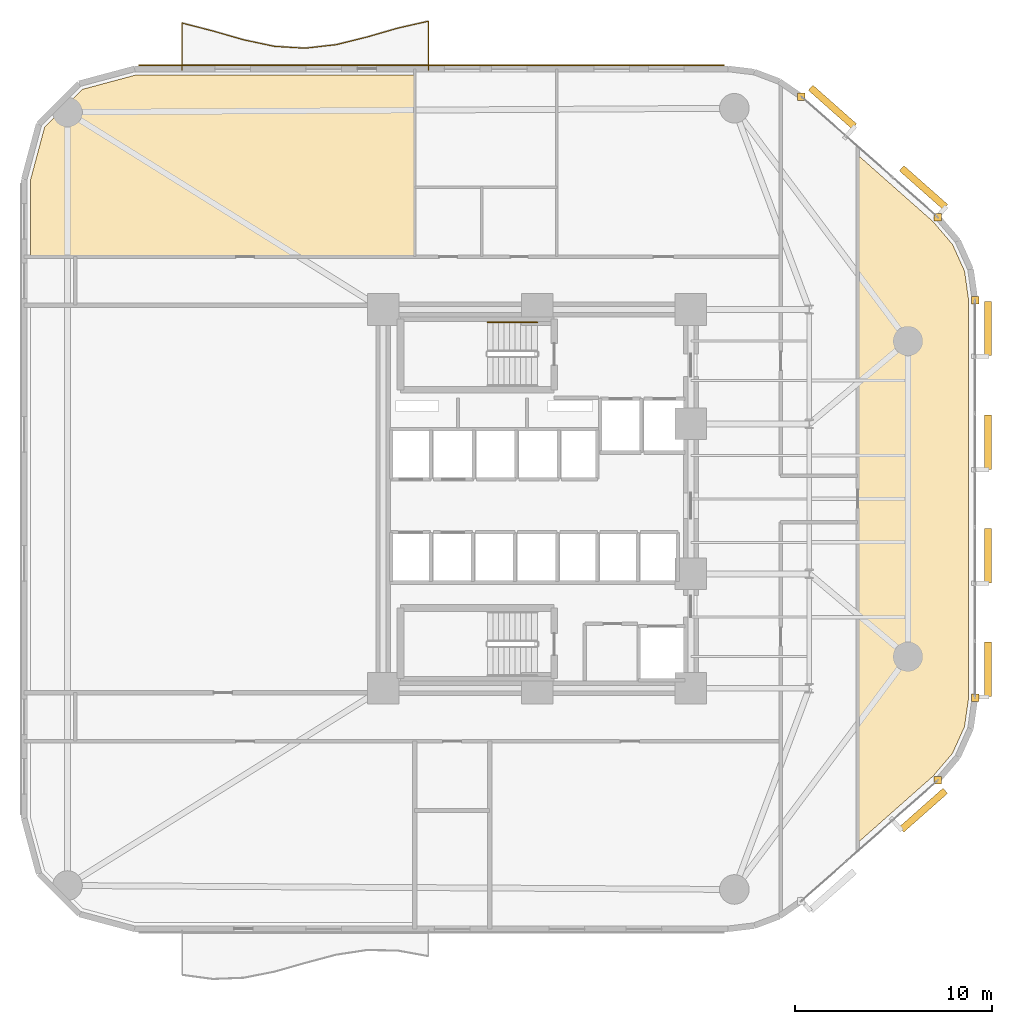
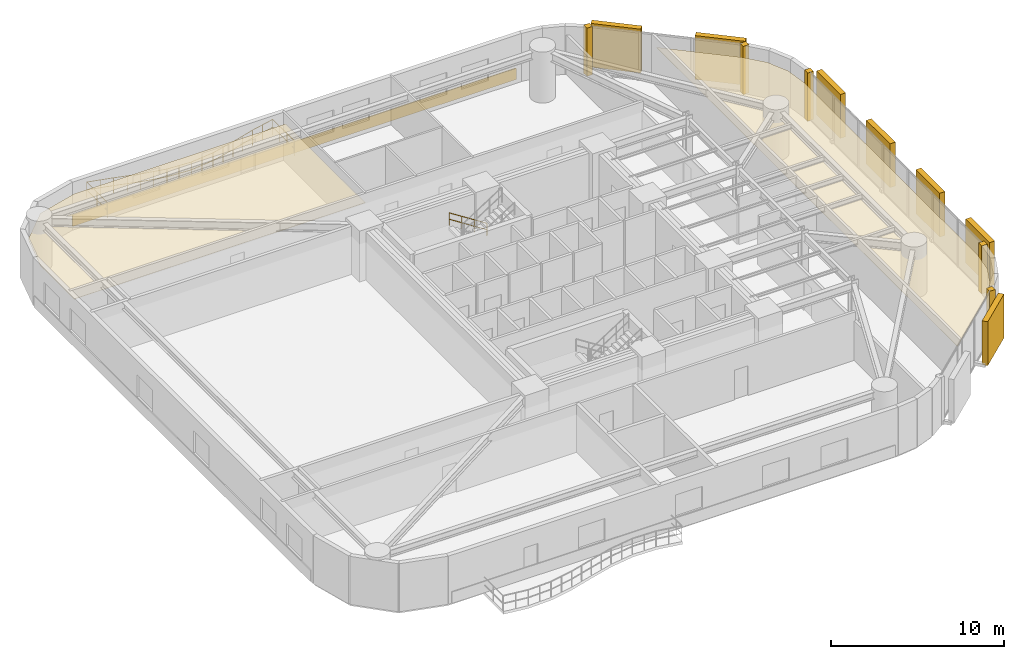
# One storey, part 15 of 15: 8 coverings, 7 shading devices, 2 railings.
"""IFC4 building model written with IfcOpenShell, lengths in metres."""

from ifc_helpers import new_model, si_unit, direction, frame, origin, origin_2d, place, context, subcontext, project, spatial, polyline, rectangle, circle, outline, extrude, material, layer, layer_set, type_object, element, save


model = new_model("IFC4")

# Units and contexts
model_context = context("Model", 3, precision=1e-05, world=origin(), true_north=direction((0.0, 1.0)))
body_context = subcontext(model_context, "Body", "Model", "MODEL_VIEW")
ifc_project = project(units=[si_unit("LENGTHUNIT", "METRE"), si_unit("AREAUNIT", "SQUARE_METRE"), si_unit("VOLUMEUNIT", "CUBIC_METRE"), si_unit("PLANEANGLEUNIT", "RADIAN"), si_unit("MASSUNIT", "GRAM", prefix="KILO")], contexts=[model_context])

# Site, building, storey
site_placement = place(None, origin())
site = spatial("IfcSite", under=ifc_project, at=site_placement, CompositionType="ELEMENT")
building_placement = place(site_placement, origin())
building = spatial("IfcBuilding", under=site, at=building_placement, Name="An Khanh Terracotta Commons", CompositionType="ELEMENT")
storey_placement = place(building_placement, frame((0.0, 0.0, 64.800048828125)))
storey = spatial("IfcBuildingStorey", under=building, at=storey_placement, Name="L17", CompositionType="ELEMENT", Elevation=64.800048828125)

# Coverings
ifc_material_1 = material(Name="Perforated Mineral-Fibre Acoustic Tile")
ifc_layer_1 = layer(ifc_material_1, 0.02001953125, Name="Perforated Mineral-Fibre Acoustic Tile")
ifc_layer_set_1 = layer_set([ifc_layer_1], Name="Perforated Mineral-Fibre Acoustic Tile")
covering_type_1 = type_object("IfcCoveringType", Name="CEIL-ACOUSTIC-18", PredefinedType="CEILING", material=ifc_layer_set_1)
covering_1_placement = place(storey_placement, frame((0.0, 0.0, 2.64990234375)))
element("IfcCovering", 1, at=covering_1_placement, inside=storey, type_object=covering_type_1, Name="L17 Riverfront Reference Library Ceiling", PredefinedType="CEILING", context=body_context, shape_type="SweptSolid", body=[
    extrude(outline(polyline([(49.48095703125, 38.047119140625), (50.458984375, 36.89892578125), (51.069091796875, 35.547119140625), (51.280029296875, 34.053955078125), (51.280029296875, 13.946044921875), (51.069091796875, 12.452880859375), (50.458984375, 11.10107421875), (49.48095703125, 9.952880859375), (45.64990234375, 6.56396484375), (45.64990234375, 22.820068359375), (45.64990234375, 25.179931640625), (45.64990234375, 41.43603515625), (49.48095703125, 38.047119140625)])), origin(), (0.0, 0.0, 1.0), 0.02001953125),
])
covering_2_placement = place(storey_placement, frame((0.0, 0.0, 2.64990234375)))
element("IfcCovering", 2, at=covering_2_placement, inside=storey, type_object=covering_type_1, Name="L17 Student Reading Library Ceiling", PredefinedType="CEILING", context=body_context, shape_type="SweptSolid", body=[
    extrude(outline(polyline([(9.0419921875, 45.47998046875), (23.199951171875, 45.47998046875), (23.199951171875, 39.800048828125), (23.199951171875, 36.280029296875), (6.0, 36.280029296875), (3.719970703125, 36.280029296875), (3.719970703125, 40.157958984375), (4.43701171875, 42.833984375), (6.365966796875, 44.762939453125), (9.0419921875, 45.47998046875)])), origin(), (0.0, 0.0, 1.0), 0.02001953125),
])
ifc_material_2 = material(Name="Fired Terracotta Rainscreen Cladding", Category="masonry")
ifc_layer_2 = layer(ifc_material_2, 0.080078125, Name="Fired Terracotta Rainscreen Cladding")
ifc_layer_set_2 = layer_set([ifc_layer_2], Name="Fired Terracotta Rainscreen Cladding")
covering_type_2 = type_object("IfcCoveringType", Name="COV-JAMB-TERRA", PredefinedType="CLADDING", material=ifc_layer_set_2)
for number, where, z_axis, x_axis, name in (
    (3, (49.7099609375, 9.72802734375, 0.0), (0.0, 0.0, 1.0), (1.0, 0.0, 0.0), "L17 CW-02 Curtain-Wall Jamb Closure JB"),
    (4, (51.60009765625, 13.923095703125, 0.0), (0.0, 0.0, 1.0), (1.0, 0.0, 0.0), "L17 CW-02 Curtain-Wall Jamb Closure JA"),
    (5, (51.60009765625, 34.076904296875, 0.0), (0.0, 0.0, 1.0), (1.0, 0.0, 0.0), "L17 CW-02 Curtain-Wall Jamb Closure JB"),
    (6, (49.7099609375, 38.27197265625, 0.0), (0.0, 0.0, 1.0), (1.0, 0.0, 0.0), "L17 CW-02 Curtain-Wall Jamb Closure JA"),
    (7, (42.7890625, 44.39404296875, 0.0), (0.0, 0.0, 1.0), (1.0, 0.0, 0.0), "L17 CW-02 Curtain-Wall Jamb Closure JB"),
):
    element("IfcCovering", number, at=place(storey_placement, frame(where, z_axis=z_axis, x_axis=x_axis)), inside=storey, type_object=covering_type_2, Name=name, PredefinedType="CLADDING", context=body_context, shape_type="SweptSolid", body=[
        extrude(rectangle(XDim=0.3798828125, YDim=0.3798828125, at=origin_2d()), origin(), (0.0, 0.0, 1.0), 3.39990234375),
    ])
ifc_layer_3 = layer(ifc_material_2, 0.06005859375, Name="Fired Terracotta Rainscreen Cladding")
ifc_layer_set_3 = layer_set([ifc_layer_3], Name="Fired Terracotta Rainscreen Cladding")
covering_type_3 = type_object("IfcCoveringType", Name="COV-SPANDREL-TERRA", PredefinedType="CLADDING", material=ifc_layer_set_3)
covering_3_placement = place(storey_placement, frame((24.0400390625, 45.97998046875, 0.02001953125), z_axis=(0.0, 0.0, 1.0), x_axis=(-1.0, 0.0, 0.0)))
element("IfcCovering", 8, at=covering_3_placement, inside=storey, type_object=covering_type_3, Name="L17 Terracotta Spandrel Cladding 20", PredefinedType="CLADDING", context=body_context, shape_type="SweptSolid", body=[
    extrude(rectangle(XDim=29.678955078125, YDim=0.06005859375, at=origin_2d()), origin(), (0.0, 0.0, 1.0), 0.800048828125),
])

# Railings
ifc_material_3 = material(Name="Brushed Stainless Steel 316", Category="steel")
railing_type_1 = type_object("IfcRailingType", Name="RAIL-BALUSTRADE-1100", PredefinedType="BALUSTRADE", material=ifc_material_3)
railing_1_placement = place(storey_placement, frame((23.89990234375, 45.739990234375, 0.0)))
element("IfcRailing", 9, at=railing_1_placement, inside=storey, type_object=railing_type_1, Name="L17 N Wave Balcony Guard Balustrade", PredefinedType="BALUSTRADE", context=body_context, shape_type="SweptSolid", body=[
    extrude(circle(Radius=0.02392578125, at=origin_2d()), frame((0.0, 0.0, 1.076171875), z_axis=(0.0, 1.0, 0.0), x_axis=(-1.0, 0.0, 0.0)), (0.0, 0.0, 1.0), 2.47412109375),
    extrude(circle(Radius=0.02392578125, at=origin_2d()), frame((0.0, 0.0, 0.52587890625), z_axis=(0.0, 1.0, 0.0), x_axis=(-1.0, 0.0, 0.0)), (0.0, 0.0, 1.0), 2.47412109375),
    extrude(circle(Radius=0.02392578125, at=origin_2d()), frame((0.0, 2.47412109375, 1.076171875), z_axis=(-0.975297200587, -0.220896741776, 0.0), x_axis=(0.220896741776, -0.975297200587, 0.0)), (0.0, 0.0, 1.0), 1.6025390625),
    extrude(circle(Radius=0.02392578125, at=origin_2d()), frame((0.0, 2.47412109375, 0.52587890625), z_axis=(-0.975297200587, -0.220896741776, 0.0), x_axis=(0.220896741776, -0.975297200587, 0.0)), (0.0, 0.0, 1.0), 1.6025390625),
    extrude(circle(Radius=0.02392578125, at=origin_2d()), frame((-1.56298828125, 2.1201171875, 1.076171875), z_axis=(-0.960566374917, -0.278050785612, 0.0), x_axis=(0.278050785612, -0.960566374917, 0.0)), (0.0, 0.0, 1.0), 1.626220703125),
    extrude(circle(Radius=0.02392578125, at=origin_2d()), frame((-1.56298828125, 2.1201171875, 0.52587890625), z_axis=(-0.960566374917, -0.278050785612, 0.0), x_axis=(0.278050785612, -0.960566374917, 0.0)), (0.0, 0.0, 1.0), 1.626220703125),
    extrude(circle(Radius=0.02392578125, at=origin_2d()), frame((-3.125, 1.66796875, 1.076171875), z_axis=(-0.9708342931, -0.239751486628, 0.0), x_axis=(0.239751486628, -0.9708342931, 0.0)), (0.0, 0.0, 1.0), 1.60986328125),
    extrude(circle(Radius=0.02392578125, at=origin_2d()), frame((-3.125, 1.66796875, 0.52587890625), z_axis=(-0.9708342931, -0.239751486628, 0.0), x_axis=(0.239751486628, -0.9708342931, 0.0)), (0.0, 0.0, 1.0), 1.60986328125),
    extrude(circle(Radius=0.02392578125, at=origin_2d()), frame((-4.68798828125, 1.281982421875, 1.076171875), z_axis=(-0.993571157369, -0.113209342564, 0.0), x_axis=(0.113209342564, -0.993571157369, 0.0)), (0.0, 0.0, 1.0), 1.572021484375),
    extrude(circle(Radius=0.02392578125, at=origin_2d()), frame((-4.68798828125, 1.281982421875, 0.52587890625), z_axis=(-0.993571157369, -0.113209342564, 0.0), x_axis=(0.113209342564, -0.993571157369, 0.0)), (0.0, 0.0, 1.0), 1.572021484375),
    extrude(circle(Radius=0.02392578125, at=origin_2d()), frame((-6.25, 1.10400390625, 1.076171875), z_axis=(-0.99823381228, 0.059407541781, 0.0), x_axis=(-0.059407541781, -0.99823381228, 0.0)), (0.0, 0.0, 1.0), 1.565673828125),
    extrude(circle(Radius=0.02392578125, at=origin_2d()), frame((-6.25, 1.10400390625, 0.52587890625), z_axis=(-0.99823381228, 0.059407541781, 0.0), x_axis=(-0.059407541781, -0.99823381228, 0.0)), (0.0, 0.0, 1.0), 1.565673828125),
    extrude(circle(Radius=0.02392578125, at=origin_2d()), frame((-7.81298828125, 1.197021484375, 1.076171875), z_axis=(-0.978145638239, 0.207920923414, 0.0), x_axis=(-0.207920923414, -0.978145638239, 0.0)), (0.0, 0.0, 1.0), 1.596923828125),
    extrude(circle(Radius=0.02392578125, at=origin_2d()), frame((-7.81298828125, 1.197021484375, 0.52587890625), z_axis=(-0.978145638239, 0.207920923414, 0.0), x_axis=(-0.207920923414, -0.978145638239, 0.0)), (0.0, 0.0, 1.0), 1.596923828125),
    extrude(circle(Radius=0.02392578125, at=origin_2d()), frame((-9.375, 1.529052734375, 1.076171875), z_axis=(-0.961086255424, 0.27624845635, 0.0), x_axis=(-0.27624845635, -0.961086255424, 0.0)), (0.0, 0.0, 1.0), 1.625244140625),
    extrude(circle(Radius=0.02392578125, at=origin_2d()), frame((-9.375, 1.529052734375, 0.52587890625), z_axis=(-0.961086255424, 0.27624845635, 0.0), x_axis=(-0.27624845635, -0.961086255424, 0.0)), (0.0, 0.0, 1.0), 1.625244140625),
    extrude(circle(Radius=0.02392578125, at=origin_2d()), frame((-10.93701171875, 1.97802734375, 1.076171875), z_axis=(-0.968464779467, 0.24915049856, 0.0), x_axis=(-0.24915049856, -0.968464779467, 0.0)), (0.0, 0.0, 1.0), 1.61376953125),
    extrude(circle(Radius=0.02392578125, at=origin_2d()), frame((-10.93701171875, 1.97802734375, 0.52587890625), z_axis=(-0.968464779467, 0.24915049856, 0.0), x_axis=(-0.24915049856, -0.968464779467, 0.0)), (0.0, 0.0, 1.0), 1.61376953125),
    extrude(circle(Radius=0.02392578125, at=origin_2d()), frame((-12.5, 2.380126953125, 1.076171875), z_axis=(0.0, -1.0, 0.0), x_axis=(1.0, 0.0, 0.0)), (0.0, 0.0, 1.0), 2.380126953125),
    extrude(circle(Radius=0.02392578125, at=origin_2d()), frame((-12.5, 2.380126953125, 0.52587890625), z_axis=(0.0, -1.0, 0.0), x_axis=(1.0, 0.0, 0.0)), (0.0, 0.0, 1.0), 2.380126953125),
    extrude(circle(Radius=0.02099609375, at=origin_2d()), origin(), (0.0, 0.0, 1.0), 1.052001953125),
    extrude(circle(Radius=0.02099609375, at=origin_2d()), frame((0.0, 0.82470703125, 0.0)), (0.0, 0.0, 1.0), 1.052001953125),
    extrude(circle(Radius=0.02099609375, at=origin_2d()), frame((0.0, 1.6494140625, 0.0)), (0.0, 0.0, 1.0), 1.052001953125),
    extrude(circle(Radius=0.02099609375, at=origin_2d()), frame((0.0, 2.47412109375, 0.0)), (0.0, 0.0, 1.0), 1.052001953125),
    extrude(circle(Radius=0.02099609375, at=origin_2d()), frame((-0.781494140625, 2.297119140625, 0.0)), (0.0, 0.0, 1.0), 1.052001953125),
    extrude(circle(Radius=0.02099609375, at=origin_2d()), frame((-1.56298828125, 2.1201171875, 0.0)), (0.0, 0.0, 1.0), 1.052001953125),
    extrude(circle(Radius=0.02099609375, at=origin_2d()), frame((-2.343994140625, 1.89404296875, 0.0)), (0.0, 0.0, 1.0), 1.052001953125),
    extrude(circle(Radius=0.02099609375, at=origin_2d()), frame((-3.125, 1.66796875, 0.0)), (0.0, 0.0, 1.0), 1.052001953125),
    extrude(circle(Radius=0.02099609375, at=origin_2d()), frame((-3.906494140625, 1.47509765625, 0.0)), (0.0, 0.0, 1.0), 1.052001953125),
    extrude(circle(Radius=0.02099609375, at=origin_2d()), frame((-4.68798828125, 1.281982421875, 0.0)), (0.0, 0.0, 1.0), 1.052001953125),
    extrude(circle(Radius=0.02099609375, at=origin_2d()), frame((-5.468994140625, 1.19287109375, 0.0)), (0.0, 0.0, 1.0), 1.052001953125),
    extrude(circle(Radius=0.02099609375, at=origin_2d()), frame((-6.25, 1.10400390625, 0.0)), (0.0, 0.0, 1.0), 1.052001953125),
    extrude(circle(Radius=0.02099609375, at=origin_2d()), frame((-7.031494140625, 1.150390625, 0.0)), (0.0, 0.0, 1.0), 1.052001953125),
    extrude(circle(Radius=0.02099609375, at=origin_2d()), frame((-7.81298828125, 1.197021484375, 0.0)), (0.0, 0.0, 1.0), 1.052001953125),
    extrude(circle(Radius=0.02099609375, at=origin_2d()), frame((-8.593994140625, 1.363037109375, 0.0)), (0.0, 0.0, 1.0), 1.052001953125),
    extrude(circle(Radius=0.02099609375, at=origin_2d()), frame((-9.375, 1.529052734375, 0.0)), (0.0, 0.0, 1.0), 1.052001953125),
    extrude(circle(Radius=0.02099609375, at=origin_2d()), frame((-10.156005859375, 1.75341796875, 0.0)), (0.0, 0.0, 1.0), 1.052001953125),
    extrude(circle(Radius=0.02099609375, at=origin_2d()), frame((-10.93701171875, 1.97802734375, 0.0)), (0.0, 0.0, 1.0), 1.052001953125),
    extrude(circle(Radius=0.02099609375, at=origin_2d()), frame((-11.718505859375, 2.17919921875, 0.0)), (0.0, 0.0, 1.0), 1.052001953125),
    extrude(circle(Radius=0.02099609375, at=origin_2d()), frame((-12.5, 2.380126953125, 0.0)), (0.0, 0.0, 1.0), 1.052001953125),
    extrude(circle(Radius=0.02099609375, at=origin_2d()), frame((-12.5, 1.18994140625, 0.0)), (0.0, 0.0, 1.0), 1.052001953125),
    extrude(circle(Radius=0.02099609375, at=origin_2d()), frame((-12.5, 0.0, 0.0)), (0.0, 0.0, 1.0), 1.052001953125),
])
railing_type_2 = type_object("IfcRailingType", Name="RAIL-HANDRAIL-900", PredefinedType="HANDRAIL", material=ifc_material_3)
railing_2_placement = place(storey_placement, frame((29.409912109375, 32.949951171875, 0.179931640625)))
element("IfcRailing", 10, at=railing_2_placement, inside=storey, type_object=railing_type_2, Name="L17 ST-01 stair handrail 1", PredefinedType="HANDRAIL", context=body_context, shape_type="SweptSolid", body=[
    extrude(circle(Radius=0.02392578125, at=origin_2d()), frame((0.0, 0.0, 0.8759765625), z_axis=(-0.841162588446, 0.0, 0.540782303519), x_axis=(0.0, -1.0, 0.0)), (0.0, 0.0, 1.0), 2.995849609375),
    extrude(circle(Radius=0.02392578125, at=origin_2d()), frame((0.0, 0.0, 0.42578125), z_axis=(-0.841162588446, 0.0, 0.540782303519), x_axis=(0.0, -1.0, 0.0)), (0.0, 0.0, 1.0), 2.995849609375),
    extrude(circle(Radius=0.02099609375, at=origin_2d()), origin(), (0.0, 0.0, 1.0), 0.851806640625),
    extrude(circle(Radius=0.02099609375, at=origin_2d()), frame((-0.840087890625, 0.0, 0.5400390625)), (0.0, 0.0, 1.0), 0.851806640625),
    extrude(circle(Radius=0.02099609375, at=origin_2d()), frame((-1.679931640625, 0.0, 1.080078125)), (0.0, 0.0, 1.0), 0.851806640625),
    extrude(circle(Radius=0.02099609375, at=origin_2d()), frame((-2.52001953125, 0.0, 1.6201171875)), (0.0, 0.0, 1.0), 0.851806640625),
])

# Shading devices
ifc_material_4 = material(Name="Extruded Fired Terracotta", Category="masonry")
shading_device_type = type_object("IfcShadingDeviceType", Name="Terracotta Baguette Screen Assembly", PredefinedType="USERDEFINED", material=ifc_material_4)
shading_device_placement = place(storey_placement, frame((48.987060546875, 8.220947265625, 0.14990234375), z_axis=(0.0, 0.0, 1.0), x_axis=(0.749019284633, 0.662548195415, 0.0)))
element("IfcShadingDevice", 11, at=shading_device_placement, inside=storey, type_object=shading_device_type, Name="L17 Terracotta Baguette Screen 3", ObjectType="BAGUETTE", PredefinedType="USERDEFINED", context=body_context, shape_type="SweptSolid", body=[
    extrude(rectangle(XDim=2.9599609375, YDim=0.35009765625, at=origin_2d()), origin(), (0.0, 0.0, 1.0), 3.10009765625),
])
for number, where, z_axis, x_axis, name in (
    (12, (52.25, 15.363037109375, 0.14990234375), (0.0, 0.0, 1.0), (0.0, 1.0, 0.0), "L17 Terracotta Baguette Screen 1"),
    (13, (52.25, 21.12109375, 0.14990234375), (0.0, 0.0, 1.0), (0.0, 1.0, 0.0), "L17 Terracotta Baguette Screen 3"),
    (14, (52.25, 26.87890625, 0.14990234375), (0.0, 0.0, 1.0), (0.0, 1.0, 0.0), "L17 Terracotta Baguette Screen 5"),
    (15, (52.25, 32.636962890625, 0.14990234375), (0.0, 0.0, 1.0), (0.0, 1.0, 0.0), "L17 Terracotta Baguette Screen 7"),
):
    element("IfcShadingDevice", number, at=place(storey_placement, frame(where, z_axis=z_axis, x_axis=x_axis)), inside=storey, type_object=shading_device_type, Name=name, ObjectType="BAGUETTE", PredefinedType="USERDEFINED", context=body_context, shape_type="SweptSolid", body=[
        extrude(rectangle(XDim=2.759033203125, YDim=0.35009765625, at=origin_2d()), origin(), (0.0, 0.0, 1.0), 3.10009765625),
    ])
for number, where, z_axis, x_axis, name in (
    (16, (48.987060546875, 39.779052734375, 0.14990234375), (0.0, 0.0, 1.0), (-0.749019284633, 0.662548195415, 0.0), "L17 Terracotta Baguette Screen 1"),
    (17, (44.373046875, 43.861083984375, 0.14990234375), (0.0, 0.0, 1.0), (-0.749019284633, 0.662548195415, 0.0), "L17 Terracotta Baguette Screen 3"),
):
    element("IfcShadingDevice", number, at=place(storey_placement, frame(where, z_axis=z_axis, x_axis=x_axis)), inside=storey, type_object=shading_device_type, Name=name, ObjectType="BAGUETTE", PredefinedType="USERDEFINED", context=body_context, shape_type="SweptSolid", body=[
        extrude(rectangle(XDim=2.9599609375, YDim=0.35009765625, at=origin_2d()), origin(), (0.0, 0.0, 1.0), 3.10009765625),
    ])

save(model, "model.ifc")
